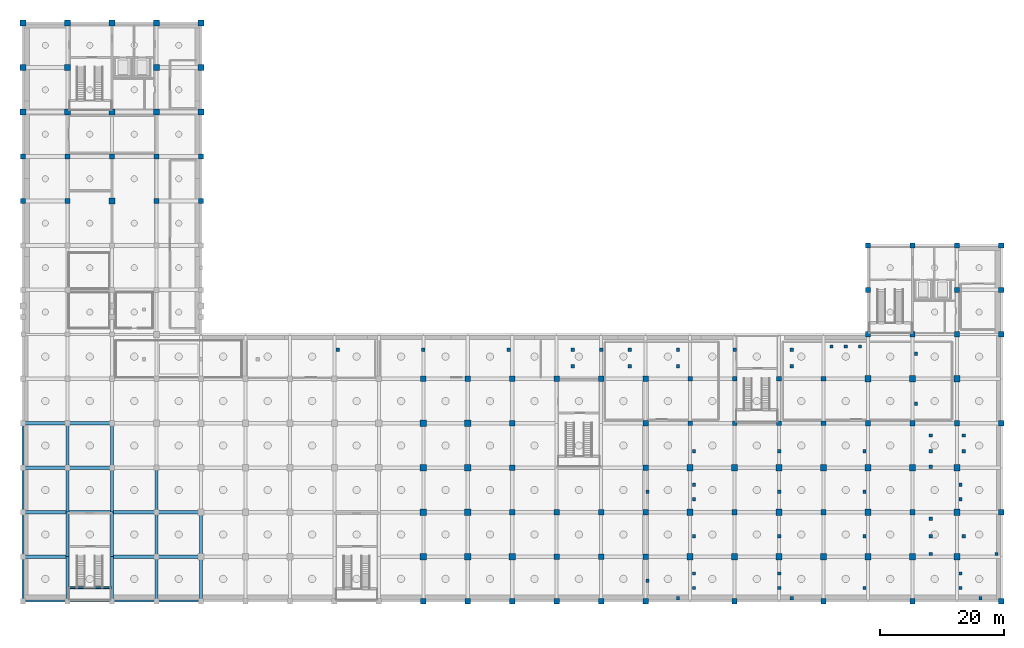
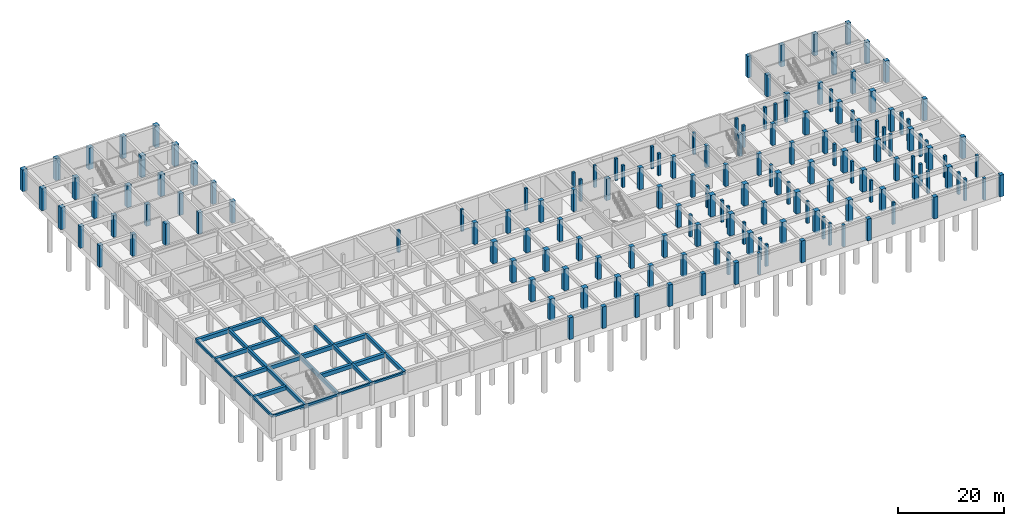
# One storey, part 2 of 15: 160 columns, 33 beams.
"""IFC4 building model written with IfcOpenShell, lengths in metres."""

from ifc_helpers import new_model, si_unit, direction, frame, origin, origin_2d, place, context, subcontext, project, spatial, rectangle, extrude, material, material_profile, profile_set, type_object, element, save


model = new_model("IFC4")

# Units and contexts
model_context = context("Model", 3, precision=1e-05, world=origin(), true_north=direction((0.0, 1.0)))
body_context = subcontext(model_context, "Body", "Model", "MODEL_VIEW")
ifc_project = project(units=[si_unit("LENGTHUNIT", "METRE"), si_unit("AREAUNIT", "SQUARE_METRE"), si_unit("VOLUMEUNIT", "CUBIC_METRE"), si_unit("PLANEANGLEUNIT", "RADIAN"), si_unit("MASSUNIT", "GRAM", prefix="KILO")], contexts=[model_context])

# Site, building, storey
site_placement = place(None, origin())
site = spatial("IfcSite", under=ifc_project, at=site_placement, CompositionType="ELEMENT")
building_placement = place(site_placement, origin())
building = spatial("IfcBuilding", under=site, at=building_placement, Name="Leyfeld Transit Interchange", CompositionType="ELEMENT")
storey_placement = place(building_placement, frame((0.0, 0.0, -10.800048828125)))
storey = spatial("IfcBuildingStorey", under=building, at=storey_placement, Name="B02", CompositionType="ELEMENT", Elevation=-10.800048828125)

# Columns
ifc_material = material(Name="Concrete C35/45", Category="concrete")
ifc_material_profile_1 = material_profile(ifc_material, rectangle(XDim=1.0, YDim=1.0, at=origin_2d()), Name="RC 1000x1000")
ifc_profile_set_1 = profile_set([ifc_material_profile_1], Name="Concrete C35/45")
column_type_1 = type_object("IfcColumnType", Name="COL-RC-1000", PredefinedType="COLUMN", material=ifc_profile_set_1)
for number, where, z_axis, x_axis, name in (
    (1, (0.0, 93.60009765625, 0.0), (0.0, 0.0, 1.0), (0.0, 1.0, 0.0), "Column COL-B02-0000_0936"),
    (2, (0.0, 100.800048828125, 0.0), (0.0, 0.0, 1.0), (1.0, 0.0, 0.0), "Column COL-B02-0000_1008"),
    (3, (0.0, 108.0, 0.0), (0.0, 0.0, 1.0), (1.0, 0.0, 0.0), "Column COL-B02-0000_1080"),
    (4, (7.199951171875, 93.60009765625, 0.0), (0.0, 0.0, 1.0), (1.0, 0.0, 0.0), "Column COL-B02-0072_0936"),
    (5, (7.199951171875, 100.800048828125, 0.0), (0.0, 0.0, 1.0), (1.0, 0.0, 0.0), "Column COL-B02-0072_1008"),
    (6, (7.199951171875, 108.0, 0.0), (0.0, 0.0, 1.0), (1.0, 0.0, 0.0), "Column COL-B02-0072_1080"),
    (7, (14.39990234375, 79.199951171875, 0.0), (0.0, 0.0, 1.0), (1.0, 0.0, 0.0), "Column COL-B02-0144_0792"),
    (8, (14.39990234375, 93.60009765625, 0.0), (0.0, 0.0, 1.0), (1.0, 0.0, 0.0), "Column COL-B02-0144_0936"),
    (9, (14.39990234375, 108.0, 0.0), (0.0, 0.0, 1.0), (1.0, 0.0, 0.0), "Column COL-B02-0144_1080"),
    (10, (21.60009765625, 93.60009765625, 0.0), (0.0, 0.0, 1.0), (1.0, 0.0, 0.0), "Column COL-B02-0216_0936"),
    (11, (21.60009765625, 100.800048828125, 0.0), (0.0, 0.0, 1.0), (1.0, 0.0, 0.0), "Column COL-B02-0216_1008"),
    (12, (21.60009765625, 108.0, 0.0), (0.0, 0.0, 1.0), (1.0, 0.0, 0.0), "Column COL-B02-0216_1080"),
    (13, (28.800048828125, 93.60009765625, 0.0), (0.0, 0.0, 1.0), (1.0, 0.0, 0.0), "Column COL-B02-0288_0936"),
    (14, (28.800048828125, 100.800048828125, 0.0), (0.0, 0.0, 1.0), (1.0, 0.0, 0.0), "Column COL-B02-0288_1008"),
    (15, (28.800048828125, 108.0, 0.0), (0.0, 0.0, 1.0), (1.0, 0.0, 0.0), "Column COL-B02-0288_1080"),
    (16, (64.800048828125, 21.60009765625, 0.0), (0.0, 0.0, 1.0), (1.0, 0.0, 0.0), "Column COL-B02-0648_0216"),
    (17, (64.800048828125, 28.800048828125, 0.0), (0.0, 0.0, 1.0), (1.0, 0.0, 0.0), "Column COL-B02-0648_0288"),
    (18, (64.800048828125, 36.0, 0.0), (0.0, 0.0, 1.0), (1.0, 0.0, 0.0), "Column COL-B02-0648_0360"),
    (19, (64.800048828125, 43.199951171875, 0.0), (0.0, 0.0, 1.0), (1.0, 0.0, 0.0), "Column COL-B02-0648_0432"),
    (20, (72.0, 21.60009765625, 0.0), (0.0, 0.0, 1.0), (1.0, 0.0, 0.0), "Column COL-B02-0720_0216"),
    (21, (72.0, 28.800048828125, 0.0), (0.0, 0.0, 1.0), (1.0, 0.0, 0.0), "Column COL-B02-0720_0288"),
    (22, (72.0, 36.0, 0.0), (0.0, 0.0, 1.0), (1.0, 0.0, 0.0), "Column COL-B02-0720_0360"),
    (23, (72.0, 43.199951171875, 0.0), (0.0, 0.0, 1.0), (1.0, 0.0, 0.0), "Column COL-B02-0720_0432"),
    (24, (79.199951171875, 21.60009765625, 0.0), (0.0, 0.0, 1.0), (1.0, 0.0, 0.0), "Column COL-B02-0792_0216"),
    (25, (108.0, 21.60009765625, 0.0), (0.0, 0.0, 1.0), (1.0, 0.0, 0.0), "Column COL-B02-1080_0216"),
    (26, (108.0, 28.800048828125, 0.0), (0.0, 0.0, 1.0), (1.0, 0.0, 0.0), "Column COL-B02-1080_0288"),
    (27, (108.0, 36.0, 0.0), (0.0, 0.0, 1.0), (1.0, 0.0, 0.0), "Column COL-B02-1080_0360"),
    (28, (115.199951171875, 21.60009765625, 0.0), (0.0, 0.0, 1.0), (1.0, 0.0, 0.0), "Column COL-B02-1152_0216"),
    (29, (115.199951171875, 36.0, 0.0), (0.0, 0.0, 1.0), (1.0, 0.0, 0.0), "Column COL-B02-1152_0360"),
    (30, (122.39990234375, 21.60009765625, 0.0), (0.0, 0.0, 1.0), (1.0, 0.0, 0.0), "Column COL-B02-1224_0216"),
    (31, (122.39990234375, 28.800048828125, 0.0), (0.0, 0.0, 1.0), (1.0, 0.0, 0.0), "Column COL-B02-1224_0288"),
    (32, (122.39990234375, 36.0, 0.0), (0.0, 0.0, 1.0), (1.0, 0.0, 0.0), "Column COL-B02-1224_0360"),
    (33, (129.60009765625, 21.60009765625, 0.0), (0.0, 0.0, 1.0), (1.0, 0.0, 0.0), "Column COL-B02-1296_0216"),
    (34, (129.60009765625, 36.0, 0.0), (0.0, 0.0, 1.0), (1.0, 0.0, 0.0), "Column COL-B02-1296_0360"),
    (35, (136.800048828125, 21.60009765625, 0.0), (0.0, 0.0, 1.0), (1.0, 0.0, 0.0), "Column COL-B02-1368_0216"),
    (36, (136.800048828125, 28.800048828125, 0.0), (0.0, 0.0, 1.0), (1.0, 0.0, 0.0), "Column COL-B02-1368_0288"),
    (37, (136.800048828125, 36.0, 0.0), (0.0, 0.0, 1.0), (1.0, 0.0, 0.0), "Column COL-B02-1368_0360"),
    (38, (136.800048828125, 50.39990234375, 0.0), (0.0, 0.0, 1.0), (1.0, 0.0, 0.0), "Column COL-B02-1368_0504"),
    (39, (144.0, 21.60009765625, 0.0), (0.0, 0.0, 1.0), (1.0, 0.0, 0.0), "Column COL-B02-1440_0216"),
    (40, (144.0, 36.0, 0.0), (0.0, 0.0, 1.0), (1.0, 0.0, 0.0), "Column COL-B02-1440_0360"),
    (41, (144.0, 50.39990234375, 0.0), (0.0, 0.0, 1.0), (1.0, 0.0, 0.0), "Column COL-B02-1440_0504"),
    (42, (151.199951171875, 21.60009765625, 0.0), (0.0, 0.0, 1.0), (1.0, 0.0, 0.0), "Column COL-B02-1512_0216"),
    (43, (151.199951171875, 28.800048828125, 0.0), (0.0, 0.0, 1.0), (1.0, 0.0, 0.0), "Column COL-B02-1512_0288"),
    (44, (151.199951171875, 36.0, 0.0), (0.0, 0.0, 1.0), (1.0, 0.0, 0.0), "Column COL-B02-1512_0360"),
    (45, (151.199951171875, 50.39990234375, 0.0), (0.0, 0.0, 1.0), (1.0, 0.0, 0.0), "Column COL-B02-1512_0504"),
):
    element("IfcColumn", number, at=place(storey_placement, frame(where, z_axis=z_axis, x_axis=x_axis)), inside=storey, type_object=column_type_1, Name=name, PredefinedType="COLUMN", context=body_context, shape_type="SweptSolid", body=[
        extrude(rectangle(XDim=1.0, YDim=1.0, at=origin_2d()), origin(), (0.0, 0.0, 1.0), 5.0),
    ])
ifc_material_profile_2 = material_profile(ifc_material, rectangle(XDim=0.550048828125, YDim=0.550048828125, at=origin_2d()), Name="RC 550x550")
ifc_profile_set_2 = profile_set([ifc_material_profile_2], Name="Concrete C35/45")
column_type_2 = type_object("IfcColumnType", Name="COL-RC-550", PredefinedType="COLUMN", material=ifc_profile_set_2)
for number, where, z_axis, x_axis, name in (
    (46, (108.633056640625, 16.52392578125, 0.0), (0.0, 0.0, 1.0), (1.0, 0.0, 0.0), "Plaza Support Column B02 001"),
    (47, (108.633056640625, 18.8759765625, 0.0), (0.0, 0.0, 1.0), (1.0, 0.0, 0.0), "Plaza Support Column B02 002"),
    (48, (122.43505859375, 16.52392578125, 0.0), (0.0, 0.0, 1.0), (1.0, 0.0, 0.0), "Plaza Support Column B02 003"),
    (49, (122.43505859375, 18.8759765625, 0.0), (0.0, 0.0, 1.0), (1.0, 0.0, 0.0), "Plaza Support Column B02 004"),
    (50, (136.237060546875, 16.52392578125, 0.0), (0.0, 0.0, 1.0), (1.0, 0.0, 0.0), "Plaza Support Column B02 005"),
    (51, (151.77587890625, 16.52392578125, 0.0), (0.0, 0.0, 1.0), (1.0, 0.0, 0.0), "Plaza Support Column B02 006"),
    (52, (151.77587890625, 18.8759765625, 0.0), (0.0, 0.0, 1.0), (1.0, 0.0, 0.0), "Plaza Support Column B02 007"),
    (53, (108.633056640625, 30.924072265625, 0.0), (0.0, 0.0, 1.0), (1.0, 0.0, 0.0), "Plaza Support Column B02 008"),
    (54, (108.633056640625, 33.27587890625, 0.0), (0.0, 0.0, 1.0), (1.0, 0.0, 0.0), "Plaza Support Column B02 009"),
    (55, (122.43505859375, 32.10009765625, 0.0), (0.0, 0.0, 1.0), (1.0, 0.0, 0.0), "Plaza Support Column B02 010"),
    (56, (136.237060546875, 32.10009765625, 0.0), (0.0, 0.0, 1.0), (1.0, 0.0, 0.0), "Plaza Support Column B02 011"),
    (57, (151.77587890625, 30.924072265625, 0.0), (0.0, 0.0, 1.0), (1.0, 0.0, 0.0), "Plaza Support Column B02 012"),
    (58, (151.77587890625, 33.27587890625, 0.0), (0.0, 0.0, 1.0), (1.0, 0.0, 0.0), "Plaza Support Column B02 013"),
    (59, (144.575927734375, 46.367919921875, 0.0), (0.0, 0.0, 1.0), (1.0, 0.0, 0.0), "Plaza Support Column B02 014"),
    (60, (144.575927734375, 54.431884765625, 0.0), (0.0, 0.0, 1.0), (1.0, 0.0, 0.0), "Plaza Support Column B02 015"),
    (61, (106.041015625, 14.85205078125, 0.0), (0.0, 0.0, 1.0), (1.0, 0.0, 0.0), "Plaza Support Column B02 016"),
    (62, (124.428955078125, 14.85205078125, 0.0), (0.0, 0.0, 1.0), (1.0, 0.0, 0.0), "Plaza Support Column B02 017"),
    (63, (155.02001953125, 14.85205078125, 0.0), (0.0, 0.0, 1.0), (1.0, 0.0, 0.0), "Plaza Support Column B02 018"),
    (64, (50.97607421875, 55.10009765625, 0.0), (0.0, 0.0, 1.0), (1.0, 0.0, 0.0), "Plaza Support Column B02 023"),
    (65, (64.800048828125, 55.10009765625, 0.0), (0.0, 0.0, 1.0), (1.0, 0.0, 0.0), "Plaza Support Column B02 024"),
    (66, (78.6240234375, 55.10009765625, 0.0), (0.0, 0.0, 1.0), (1.0, 0.0, 0.0), "Plaza Support Column B02 025"),
    (67, (106.041015625, 52.468017578125, 0.0), (0.0, 0.0, 1.0), (1.0, 0.0, 0.0), "Plaza Support Column B02 026"),
    (68, (106.041015625, 55.10009765625, 0.0), (0.0, 0.0, 1.0), (1.0, 0.0, 0.0), "Plaza Support Column B02 027"),
    (69, (115.235107421875, 55.10009765625, 0.0), (0.0, 0.0, 1.0), (1.0, 0.0, 0.0), "Plaza Support Column B02 028"),
    (70, (124.428955078125, 52.468017578125, 0.0), (0.0, 0.0, 1.0), (1.0, 0.0, 0.0), "Plaza Support Column B02 029"),
    (71, (124.428955078125, 55.10009765625, 0.0), (0.0, 0.0, 1.0), (1.0, 0.0, 0.0), "Plaza Support Column B02 030"),
    (72, (88.99609375, 52.468017578125, 0.0), (0.0, 0.0, 1.0), (1.0, 0.0, 0.0), "Plaza Support Column B02 031"),
    (73, (88.99609375, 55.10009765625, 0.0), (0.0, 0.0, 1.0), (1.0, 0.0, 0.0), "Plaza Support Column B02 032"),
    (74, (93.610107421875, 55.10009765625, 0.0), (0.0, 0.0, 1.0), (1.0, 0.0, 0.0), "Plaza Support Column B02 033"),
    (75, (98.22412109375, 52.468017578125, 0.0), (0.0, 0.0, 1.0), (1.0, 0.0, 0.0), "Plaza Support Column B02 034"),
    (76, (98.22412109375, 55.10009765625, 0.0), (0.0, 0.0, 1.0), (1.0, 0.0, 0.0), "Plaza Support Column B02 035"),
    (77, (130.89599609375, 55.635986328125, 0.0), (0.0, 0.0, 1.0), (1.0, 0.0, 0.0), "Plaza Support Column B02 036"),
    (78, (133.199951171875, 55.635986328125, 0.0), (0.0, 0.0, 1.0), (1.0, 0.0, 0.0), "Plaza Support Column B02 037"),
    (79, (135.50390625, 55.635986328125, 0.0), (0.0, 0.0, 1.0), (1.0, 0.0, 0.0), "Plaza Support Column B02 038"),
    (80, (108.633056640625, 38.699951171875, 0.0), (0.0, 0.0, 1.0), (1.0, 0.0, 0.0), "Plaza Support Column B02 039"),
    (81, (122.43505859375, 38.699951171875, 0.0), (0.0, 0.0, 1.0), (1.0, 0.0, 0.0), "Plaza Support Column B02 040"),
    (82, (136.237060546875, 38.699951171875, 0.0), (0.0, 0.0, 1.0), (1.0, 0.0, 0.0), "Plaza Support Column B02 041"),
    (83, (146.988037109375, 36.179931640625, 0.0), (0.0, 0.0, 1.0), (1.0, 0.0, 0.0), "Plaza Support Column B02 042"),
    (84, (146.988037109375, 38.699951171875, 0.0), (0.0, 0.0, 1.0), (1.0, 0.0, 0.0), "Plaza Support Column B02 043"),
    (85, (146.988037109375, 41.219970703125, 0.0), (0.0, 0.0, 1.0), (1.0, 0.0, 0.0), "Plaza Support Column B02 044"),
    (86, (152.300048828125, 38.699951171875, 0.0), (0.0, 0.0, 1.0), (1.0, 0.0, 0.0), "Plaza Support Column B02 045"),
    (87, (152.300048828125, 41.219970703125, 0.0), (0.0, 0.0, 1.0), (1.0, 0.0, 0.0), "Plaza Support Column B02 046"),
    (88, (108.633056640625, 24.89990234375, 0.0), (0.0, 0.0, 1.0), (1.0, 0.0, 0.0), "Plaza Support Column B02 047"),
    (89, (122.43505859375, 24.89990234375, 0.0), (0.0, 0.0, 1.0), (1.0, 0.0, 0.0), "Plaza Support Column B02 048"),
    (90, (136.237060546875, 24.89990234375, 0.0), (0.0, 0.0, 1.0), (1.0, 0.0, 0.0), "Plaza Support Column B02 049"),
    (91, (146.988037109375, 22.0439453125, 0.0), (0.0, 0.0, 1.0), (1.0, 0.0, 0.0), "Plaza Support Column B02 050"),
    (92, (146.988037109375, 24.89990234375, 0.0), (0.0, 0.0, 1.0), (1.0, 0.0, 0.0), "Plaza Support Column B02 051"),
    (93, (146.988037109375, 27.756103515625, 0.0), (0.0, 0.0, 1.0), (1.0, 0.0, 0.0), "Plaza Support Column B02 052"),
    (94, (152.300048828125, 24.89990234375, 0.0), (0.0, 0.0, 1.0), (1.0, 0.0, 0.0), "Plaza Support Column B02 053"),
    (95, (157.612060546875, 22.0439453125, 0.0), (0.0, 0.0, 1.0), (1.0, 0.0, 0.0), "Plaza Support Column B02 054"),
    (96, (101.10009765625, 17.699951171875, 0.0), (0.0, 0.0, 1.0), (1.0, 0.0, 0.0), "Ramp Toe Pier B02 02"),
    (97, (101.10009765625, 32.10009765625, 0.0), (0.0, 0.0, 1.0), (1.0, 0.0, 0.0), "Ramp Toe Pier B02 03"),
):
    element("IfcColumn", number, at=place(storey_placement, frame(where, z_axis=z_axis, x_axis=x_axis)), inside=storey, type_object=column_type_2, Name=name, PredefinedType="COLUMN", context=body_context, shape_type="SweptSolid", body=[
        extrude(rectangle(XDim=0.550048828125, YDim=0.550048828125, at=origin_2d()), origin(), (0.0, 0.0, 1.0), 5.0),
    ])
ifc_material_profile_3 = material_profile(ifc_material, rectangle(XDim=0.75, YDim=0.75, at=origin_2d()), Name="RC 750x750")
ifc_profile_set_3 = profile_set([ifc_material_profile_3], Name="Concrete C35/45")
column_type_3 = type_object("IfcColumnType", Name="COL-RC-750", PredefinedType="COLUMN", material=ifc_profile_set_3)
for number, where, z_axis, x_axis, name in (
    (98, (108.0, 43.199951171875, 0.0), (0.0, 0.0, 1.0), (1.0, 0.0, 0.0), "Column COL-B02-1080_0432"),
    (99, (108.0, 50.39990234375, 0.0), (0.0, 0.0, 1.0), (1.0, 0.0, 0.0), "Column COL-B02-1080_0504"),
    (100, (115.199951171875, 43.199951171875, 0.0), (0.0, 0.0, 1.0), (1.0, 0.0, 0.0), "Column COL-B02-1152_0432"),
    (101, (115.199951171875, 50.39990234375, 0.0), (0.0, 0.0, 1.0), (1.0, 0.0, 0.0), "Column COL-B02-1152_0504"),
    (102, (122.39990234375, 43.199951171875, 0.0), (0.0, 0.0, 1.0), (1.0, 0.0, 0.0), "Column COL-B02-1224_0432"),
    (103, (122.39990234375, 50.39990234375, 0.0), (0.0, 0.0, 1.0), (1.0, 0.0, 0.0), "Column COL-B02-1224_0504"),
    (104, (129.60009765625, 43.199951171875, 0.0), (0.0, 0.0, 1.0), (1.0, 0.0, 0.0), "Column COL-B02-1296_0432"),
    (105, (129.60009765625, 50.39990234375, 0.0), (0.0, 0.0, 1.0), (1.0, 0.0, 0.0), "Column COL-B02-1296_0504"),
):
    element("IfcColumn", number, at=place(storey_placement, frame(where, z_axis=z_axis, x_axis=x_axis)), inside=storey, type_object=column_type_3, Name=name, PredefinedType="COLUMN", context=body_context, shape_type="SweptSolid", body=[
        extrude(rectangle(XDim=0.75, YDim=0.75, at=origin_2d()), origin(), (0.0, 0.0, 1.0), 5.0),
    ])
ifc_material_profile_4 = material_profile(ifc_material, rectangle(XDim=0.85009765625, YDim=0.85009765625, at=origin_2d()), Name="RC 850x850")
ifc_profile_set_4 = profile_set([ifc_material_profile_4], Name="Concrete C35/45")
column_type_4 = type_object("IfcColumnType", Name="COL-RC-850", PredefinedType="COLUMN", material=ifc_profile_set_4)
for number, where, z_axis, x_axis, name in (
    (106, (0.0, 79.199951171875, 0.0), (0.0, 0.0, 1.0), (0.0, 1.0, 0.0), "Column COL-B02-0000_0792"),
    (107, (0.0, 86.39990234375, 0.0), (0.0, 0.0, 1.0), (0.0, 1.0, 0.0), "Column COL-B02-0000_0864"),
    (108, (7.199951171875, 79.199951171875, 0.0), (0.0, 0.0, 1.0), (1.0, 0.0, 0.0), "Column COL-B02-0072_0792"),
    (109, (7.199951171875, 86.39990234375, 0.0), (0.0, 0.0, 1.0), (1.0, 0.0, 0.0), "Column COL-B02-0072_0864"),
    (110, (14.39990234375, 86.39990234375, 0.0), (0.0, 0.0, 1.0), (1.0, 0.0, 0.0), "Column COL-B02-0144_0864"),
    (111, (21.60009765625, 79.199951171875, 0.0), (0.0, 0.0, 1.0), (1.0, 0.0, 0.0), "Column COL-B02-0216_0792"),
    (112, (21.60009765625, 86.39990234375, 0.0), (0.0, 0.0, 1.0), (1.0, 0.0, 0.0), "Column COL-B02-0216_0864"),
    (113, (28.800048828125, 79.199951171875, 0.0), (0.0, 0.0, 1.0), (1.0, 0.0, 0.0), "Column COL-B02-0288_0792"),
    (114, (28.800048828125, 86.39990234375, 0.0), (0.0, 0.0, 1.0), (1.0, 0.0, 0.0), "Column COL-B02-0288_0864"),
    (115, (64.800048828125, 14.39990234375, 0.0), (0.0, 0.0, 1.0), (1.0, 0.0, 0.0), "Column COL-B02-0648_0144"),
    (116, (64.800048828125, 50.39990234375, 0.0), (0.0, 0.0, 1.0), (1.0, 0.0, 0.0), "Column COL-B02-0648_0504"),
    (117, (72.0, 14.39990234375, 0.0), (0.0, 0.0, 1.0), (1.0, 0.0, 0.0), "Column COL-B02-0720_0144"),
    (118, (72.0, 50.39990234375, 0.0), (0.0, 0.0, 1.0), (1.0, 0.0, 0.0), "Column COL-B02-0720_0504"),
    (119, (79.199951171875, 14.39990234375, 0.0), (0.0, 0.0, 1.0), (1.0, 0.0, 0.0), "Column COL-B02-0792_0144"),
    (120, (79.199951171875, 28.800048828125, 0.0), (0.0, 0.0, 1.0), (1.0, 0.0, 0.0), "Column COL-B02-0792_0288"),
    (121, (79.199951171875, 36.0, 0.0), (0.0, 0.0, 1.0), (1.0, 0.0, 0.0), "Column COL-B02-0792_0360"),
    (122, (79.199951171875, 43.199951171875, 0.0), (0.0, 0.0, 1.0), (1.0, 0.0, 0.0), "Column COL-B02-0792_0432"),
    (123, (79.199951171875, 50.39990234375, 0.0), (0.0, 0.0, 1.0), (1.0, 0.0, 0.0), "Column COL-B02-0792_0504"),
    (124, (86.39990234375, 14.39990234375, 0.0), (0.0, 0.0, 1.0), (1.0, 0.0, 0.0), "Column COL-B02-0864_0144"),
    (125, (86.39990234375, 21.60009765625, 0.0), (0.0, 0.0, 1.0), (1.0, 0.0, 0.0), "Column COL-B02-0864_0216"),
    (126, (86.39990234375, 28.800048828125, 0.0), (0.0, 0.0, 1.0), (1.0, 0.0, 0.0), "Column COL-B02-0864_0288"),
    (127, (86.39990234375, 50.39990234375, 0.0), (0.0, 0.0, 1.0), (1.0, 0.0, 0.0), "Column COL-B02-0864_0504"),
    (128, (93.60009765625, 14.39990234375, 0.0), (0.0, 0.0, 1.0), (1.0, 0.0, 0.0), "Column COL-B02-0936_0144"),
    (129, (93.60009765625, 21.60009765625, 0.0), (0.0, 0.0, 1.0), (1.0, 0.0, 0.0), "Column COL-B02-0936_0216"),
    (130, (93.60009765625, 28.800048828125, 0.0), (0.0, 0.0, 1.0), (1.0, 0.0, 0.0), "Column COL-B02-0936_0288"),
    (131, (93.60009765625, 50.39990234375, 0.0), (0.0, 0.0, 1.0), (1.0, 0.0, 0.0), "Column COL-B02-0936_0504"),
    (132, (100.800048828125, 14.39990234375, 0.0), (0.0, 0.0, 1.0), (1.0, 0.0, 0.0), "Column COL-B02-1008_0144"),
    (133, (100.800048828125, 21.60009765625, 0.0), (0.0, 0.0, 1.0), (1.0, 0.0, 0.0), "Column COL-B02-1008_0216"),
    (134, (100.800048828125, 28.800048828125, 0.0), (0.0, 0.0, 1.0), (1.0, 0.0, 0.0), "Column COL-B02-1008_0288"),
    (135, (100.800048828125, 36.0, 0.0), (0.0, 0.0, 1.0), (1.0, 0.0, 0.0), "Column COL-B02-1008_0360"),
    (136, (100.800048828125, 43.199951171875, 0.0), (0.0, 0.0, 1.0), (1.0, 0.0, 0.0), "Column COL-B02-1008_0432"),
    (137, (100.800048828125, 50.39990234375, 0.0), (0.0, 0.0, 1.0), (1.0, 0.0, 0.0), "Column COL-B02-1008_0504"),
    (138, (115.199951171875, 14.39990234375, 0.0), (0.0, 0.0, 1.0), (1.0, 0.0, 0.0), "Column COL-B02-1152_0144"),
    (139, (115.199951171875, 28.800048828125, 0.0), (0.0, 0.0, 1.0), (1.0, 0.0, 0.0), "Column COL-B02-1152_0288"),
    (140, (129.60009765625, 14.39990234375, 0.0), (0.0, 0.0, 1.0), (1.0, 0.0, 0.0), "Column COL-B02-1296_0144"),
    (141, (129.60009765625, 28.800048828125, 0.0), (0.0, 0.0, 1.0), (1.0, 0.0, 0.0), "Column COL-B02-1296_0288"),
    (142, (136.800048828125, 43.199951171875, 0.0), (0.0, 0.0, 1.0), (1.0, 0.0, 0.0), "Column COL-B02-1368_0432"),
    (143, (136.800048828125, 57.60009765625, 0.0), (0.0, 0.0, 1.0), (1.0, 0.0, 0.0), "Column COL-B02-1368_0576"),
    (144, (136.800048828125, 64.800048828125, 0.0), (0.0, 0.0, 1.0), (1.0, 0.0, 0.0), "Column COL-B02-1368_0648"),
    (145, (136.800048828125, 72.0, 0.0), (0.0, 0.0, 1.0), (1.0, 0.0, 0.0), "Column COL-B02-1368_0720"),
    (146, (144.0, 14.39990234375, 0.0), (0.0, 0.0, 1.0), (1.0, 0.0, 0.0), "Column COL-B02-1440_0144"),
    (147, (144.0, 28.800048828125, 0.0), (0.0, 0.0, 1.0), (1.0, 0.0, 0.0), "Column COL-B02-1440_0288"),
    (148, (144.0, 43.199951171875, 0.0), (0.0, 0.0, 1.0), (1.0, 0.0, 0.0), "Column COL-B02-1440_0432"),
    (149, (144.0, 57.60009765625, 0.0), (0.0, 0.0, 1.0), (1.0, 0.0, 0.0), "Column COL-B02-1440_0576"),
    (150, (144.0, 72.0, 0.0), (0.0, 0.0, 1.0), (1.0, 0.0, 0.0), "Column COL-B02-1440_0720"),
    (151, (151.199951171875, 43.199951171875, 0.0), (0.0, 0.0, 1.0), (1.0, 0.0, 0.0), "Column COL-B02-1512_0432"),
    (152, (151.199951171875, 57.60009765625, 0.0), (0.0, 0.0, 1.0), (1.0, 0.0, 0.0), "Column COL-B02-1512_0576"),
    (153, (151.199951171875, 64.800048828125, 0.0), (0.0, 0.0, 1.0), (1.0, 0.0, 0.0), "Column COL-B02-1512_0648"),
    (154, (151.199951171875, 72.0, 0.0), (0.0, 0.0, 1.0), (1.0, 0.0, 0.0), "Column COL-B02-1512_0720"),
    (155, (158.39990234375, 14.39990234375, 0.0), (0.0, 0.0, 1.0), (1.0, 0.0, 0.0), "Column COL-B02-1584_0144"),
    (156, (158.39990234375, 28.800048828125, 0.0), (0.0, 0.0, 1.0), (1.0, 0.0, 0.0), "Column COL-B02-1584_0288"),
    (157, (158.39990234375, 43.199951171875, 0.0), (0.0, 0.0, 1.0), (1.0, 0.0, 0.0), "Column COL-B02-1584_0432"),
    (158, (158.39990234375, 57.60009765625, 0.0), (0.0, 0.0, 1.0), (1.0, 0.0, 0.0), "Column COL-B02-1584_0576"),
    (159, (158.39990234375, 64.800048828125, 0.0), (0.0, 0.0, 1.0), (1.0, 0.0, 0.0), "Column COL-B02-1584_0648"),
    (160, (158.39990234375, 72.0, 0.0), (0.0, 0.0, 1.0), (1.0, 0.0, 0.0), "Column COL-B02-1584_0720"),
):
    element("IfcColumn", number, at=place(storey_placement, frame(where, z_axis=z_axis, x_axis=x_axis)), inside=storey, type_object=column_type_4, Name=name, PredefinedType="COLUMN", context=body_context, shape_type="SweptSolid", body=[
        extrude(rectangle(XDim=0.85009765625, YDim=0.85009765625, at=origin_2d()), origin(), (0.0, 0.0, 1.0), 5.0),
    ])

# Beams
ifc_material_profile_5 = material_profile(ifc_material, rectangle(XDim=0.300048828125, YDim=0.39990234375, at=origin_2d()), Name="RC 400x300")
ifc_profile_set_5 = profile_set([ifc_material_profile_5], Name="Concrete C35/45")
beam_type_1 = type_object("IfcBeamType", Name="BM-RC-400x300", PredefinedType="LINTEL", material=ifc_profile_set_5)
beam_1_placement = place(storey_placement, frame((7.340087890625, 16.60009765625, 2.5), z_axis=(1.0, 0.0, 0.0), x_axis=(0.0, 1.0, 0.0)))
element("IfcBeam", 161, at=beam_1_placement, inside=storey, type_object=beam_type_1, Name="Stair ST-06 B02 Half-Landing Corbel", PredefinedType="LINTEL", context=body_context, shape_type="SweptSolid", body=[
    extrude(rectangle(XDim=0.300048828125, YDim=0.39990234375, at=origin_2d()), origin(), (0.0, 0.0, 1.0), 6.919921875),
])
ifc_material_profile_6 = material_profile(ifc_material, rectangle(XDim=0.35009765625, YDim=0.5, at=origin_2d()), Name="RC 500x350")
ifc_profile_set_6 = profile_set([ifc_material_profile_6], Name="Concrete C35/45")
beam_type_2 = type_object("IfcBeamType", Name="BM-RC-500x350", PredefinedType="SPANDREL", material=ifc_profile_set_6)
beam_2_placement = place(storey_placement, frame((0.0, 14.39990234375, 4.75), z_axis=(0.0, 1.0, 0.0), x_axis=(-1.0, 0.0, 0.0)))
element("IfcBeam", 162, at=beam_2_placement, inside=storey, type_object=beam_type_2, Name="Beam BM-B02-0000_0144-0000_0216", PredefinedType="SPANDREL", context=body_context, shape_type="SweptSolid", body=[
    extrude(rectangle(XDim=0.35009765625, YDim=0.5, at=origin_2d()), origin(), (0.0, 0.0, 1.0), 7.2001953125),
])
for number, where, z_axis, x_axis, name in (
    (163, (0.0, 21.60009765625, 4.75), (0.0, 1.0, 0.0), (-1.0, 0.0, 0.0), "Beam BM-B02-0000_0216-0000_0288"),
    (164, (0.0, 28.800048828125, 4.75), (0.0, 1.0, 0.0), (-1.0, 0.0, 0.0), "Beam BM-B02-0000_0288-0000_0360"),
    (165, (0.0, 36.0, 4.75), (0.0, 1.0, 0.0), (-1.0, 0.0, 0.0), "Beam BM-B02-0000_0360-0000_0432"),
    (166, (0.0, 14.39990234375, 4.75), (1.0, 0.0, 0.0), (0.0, 1.0, 0.0), "Beam BM-B02-0000_0144-0072_0144"),
    (167, (7.199951171875, 14.39990234375, 4.75), (1.0, 0.0, 0.0), (0.0, 1.0, 0.0), "Beam BM-B02-0072_0144-0144_0144"),
):
    element("IfcBeam", number, at=place(storey_placement, frame(where, z_axis=z_axis, x_axis=x_axis)), inside=storey, type_object=beam_type_2, Name=name, PredefinedType="SPANDREL", context=body_context, shape_type="SweptSolid", body=[
        extrude(rectangle(XDim=0.35009765625, YDim=0.5, at=origin_2d()), origin(), (0.0, 0.0, 1.0), 7.199951171875),
    ])
beam_3_placement = place(storey_placement, frame((14.39990234375, 14.39990234375, 4.75), z_axis=(1.0, 0.0, 0.0), x_axis=(0.0, 1.0, 0.0)))
element("IfcBeam", 168, at=beam_3_placement, inside=storey, type_object=beam_type_2, Name="Beam BM-B02-0144_0144-0216_0144", PredefinedType="SPANDREL", context=body_context, shape_type="SweptSolid", body=[
    extrude(rectangle(XDim=0.35009765625, YDim=0.5, at=origin_2d()), origin(), (0.0, 0.0, 1.0), 7.2001953125),
])
beam_4_placement = place(storey_placement, frame((21.60009765625, 14.39990234375, 4.75), z_axis=(1.0, 0.0, 0.0), x_axis=(0.0, 1.0, 0.0)))
element("IfcBeam", 169, at=beam_4_placement, inside=storey, type_object=beam_type_2, Name="Beam BM-B02-0216_0144-0288_0144", PredefinedType="SPANDREL", context=body_context, shape_type="SweptSolid", body=[
    extrude(rectangle(XDim=0.35009765625, YDim=0.5, at=origin_2d()), origin(), (0.0, 0.0, 1.0), 7.199951171875),
])
ifc_material_profile_7 = material_profile(ifc_material, rectangle(XDim=0.5, YDim=0.800048828125, at=origin_2d()), Name="RC 800x500")
ifc_profile_set_7 = profile_set([ifc_material_profile_7], Name="Concrete C35/45")
beam_type_3 = type_object("IfcBeamType", Name="BM-RC-800x500", PredefinedType="JOIST", material=ifc_profile_set_7)
beam_5_placement = place(storey_placement, frame((7.199951171875, 14.39990234375, 4.60009765625), z_axis=(0.0, 1.0, 0.0), x_axis=(-1.0, 0.0, 0.0)))
element("IfcBeam", 170, at=beam_5_placement, inside=storey, type_object=beam_type_3, Name="Beam BM-B02-0072_0144-0072_0216", PredefinedType="JOIST", context=body_context, shape_type="SweptSolid", body=[
    extrude(rectangle(XDim=0.5, YDim=0.800048828125, at=origin_2d()), origin(), (0.0, 0.0, 1.0), 7.2001953125),
])
for number, where, z_axis, x_axis, name in (
    (171, (7.199951171875, 21.60009765625, 4.60009765625), (0.0, 1.0, 0.0), (-1.0, 0.0, 0.0), "Beam BM-B02-0072_0216-0072_0288"),
    (172, (7.199951171875, 28.800048828125, 4.60009765625), (0.0, 1.0, 0.0), (-1.0, 0.0, 0.0), "Beam BM-B02-0072_0288-0072_0360"),
    (173, (7.199951171875, 36.0, 4.60009765625), (0.0, 1.0, 0.0), (-1.0, 0.0, 0.0), "Beam BM-B02-0072_0360-0072_0432"),
):
    element("IfcBeam", number, at=place(storey_placement, frame(where, z_axis=z_axis, x_axis=x_axis)), inside=storey, type_object=beam_type_3, Name=name, PredefinedType="JOIST", context=body_context, shape_type="SweptSolid", body=[
        extrude(rectangle(XDim=0.5, YDim=0.800048828125, at=origin_2d()), origin(), (0.0, 0.0, 1.0), 7.199951171875),
    ])
beam_6_placement = place(storey_placement, frame((14.39990234375, 14.39990234375, 4.60009765625), z_axis=(0.0, 1.0, 0.0), x_axis=(-1.0, 0.0, 0.0)))
element("IfcBeam", 174, at=beam_6_placement, inside=storey, type_object=beam_type_3, Name="Beam BM-B02-0144_0144-0144_0216", PredefinedType="JOIST", context=body_context, shape_type="SweptSolid", body=[
    extrude(rectangle(XDim=0.5, YDim=0.800048828125, at=origin_2d()), origin(), (0.0, 0.0, 1.0), 7.2001953125),
])
for number, where, z_axis, x_axis, name in (
    (175, (14.39990234375, 21.60009765625, 4.60009765625), (0.0, 1.0, 0.0), (-1.0, 0.0, 0.0), "Beam BM-B02-0144_0216-0144_0288"),
    (176, (14.39990234375, 28.800048828125, 4.60009765625), (0.0, 1.0, 0.0), (-1.0, 0.0, 0.0), "Beam BM-B02-0144_0288-0144_0360"),
    (177, (14.39990234375, 36.0, 4.60009765625), (0.0, 1.0, 0.0), (-1.0, 0.0, 0.0), "Beam BM-B02-0144_0360-0144_0432"),
):
    element("IfcBeam", number, at=place(storey_placement, frame(where, z_axis=z_axis, x_axis=x_axis)), inside=storey, type_object=beam_type_3, Name=name, PredefinedType="JOIST", context=body_context, shape_type="SweptSolid", body=[
        extrude(rectangle(XDim=0.5, YDim=0.800048828125, at=origin_2d()), origin(), (0.0, 0.0, 1.0), 7.199951171875),
    ])
beam_7_placement = place(storey_placement, frame((21.60009765625, 14.39990234375, 4.60009765625), z_axis=(0.0, 1.0, 0.0), x_axis=(-1.0, 0.0, 0.0)))
element("IfcBeam", 178, at=beam_7_placement, inside=storey, type_object=beam_type_3, Name="Beam BM-B02-0216_0144-0216_0216", PredefinedType="JOIST", context=body_context, shape_type="SweptSolid", body=[
    extrude(rectangle(XDim=0.5, YDim=0.800048828125, at=origin_2d()), origin(), (0.0, 0.0, 1.0), 7.2001953125),
])
for number, where, z_axis, x_axis, name in (
    (179, (21.60009765625, 21.60009765625, 4.60009765625), (0.0, 1.0, 0.0), (-1.0, 0.0, 0.0), "Beam BM-B02-0216_0216-0216_0288"),
    (180, (21.60009765625, 28.800048828125, 4.60009765625), (0.0, 1.0, 0.0), (-1.0, 0.0, 0.0), "Beam BM-B02-0216_0288-0216_0360"),
):
    element("IfcBeam", number, at=place(storey_placement, frame(where, z_axis=z_axis, x_axis=x_axis)), inside=storey, type_object=beam_type_3, Name=name, PredefinedType="JOIST", context=body_context, shape_type="SweptSolid", body=[
        extrude(rectangle(XDim=0.5, YDim=0.800048828125, at=origin_2d()), origin(), (0.0, 0.0, 1.0), 7.199951171875),
    ])
beam_8_placement = place(storey_placement, frame((28.800048828125, 14.39990234375, 4.60009765625), z_axis=(0.0, 1.0, 0.0), x_axis=(-1.0, 0.0, 0.0)))
element("IfcBeam", 181, at=beam_8_placement, inside=storey, type_object=beam_type_3, Name="Beam BM-B02-0288_0144-0288_0216", PredefinedType="JOIST", context=body_context, shape_type="SweptSolid", body=[
    extrude(rectangle(XDim=0.5, YDim=0.800048828125, at=origin_2d()), origin(), (0.0, 0.0, 1.0), 7.2001953125),
])
beam_9_placement = place(storey_placement, frame((28.800048828125, 21.60009765625, 4.60009765625), z_axis=(0.0, 1.0, 0.0), x_axis=(-1.0, 0.0, 0.0)))
element("IfcBeam", 182, at=beam_9_placement, inside=storey, type_object=beam_type_3, Name="Beam BM-B02-0288_0216-0288_0288", PredefinedType="JOIST", context=body_context, shape_type="SweptSolid", body=[
    extrude(rectangle(XDim=0.5, YDim=0.800048828125, at=origin_2d()), origin(), (0.0, 0.0, 1.0), 7.199951171875),
])
ifc_material_profile_8 = material_profile(ifc_material, rectangle(XDim=0.60009765625, YDim=0.89990234375, at=origin_2d()), Name="RC 900x600")
ifc_profile_set_8 = profile_set([ifc_material_profile_8], Name="Concrete C35/45")
beam_type_4 = type_object("IfcBeamType", Name="BM-RC-900x600", PredefinedType="JOIST", material=ifc_profile_set_8)
beam_10_placement = place(storey_placement, frame((0.0, 21.60009765625, 4.550048828125), z_axis=(1.0, 0.0, 0.0), x_axis=(0.0, 1.0, 0.0)))
element("IfcBeam", 183, at=beam_10_placement, inside=storey, type_object=beam_type_4, Name="Beam BM-B02-0000_0216-0072_0216", PredefinedType="JOIST", context=body_context, shape_type="SweptSolid", body=[
    extrude(rectangle(XDim=0.60009765625, YDim=0.89990234375, at=origin_2d()), origin(), (0.0, 0.0, 1.0), 7.199951171875),
])
beam_11_placement = place(storey_placement, frame((14.39990234375, 21.60009765625, 4.550048828125), z_axis=(1.0, 0.0, 0.0), x_axis=(0.0, 1.0, 0.0)))
element("IfcBeam", 184, at=beam_11_placement, inside=storey, type_object=beam_type_4, Name="Beam BM-B02-0144_0216-0216_0216", PredefinedType="JOIST", context=body_context, shape_type="SweptSolid", body=[
    extrude(rectangle(XDim=0.60009765625, YDim=0.89990234375, at=origin_2d()), origin(), (0.0, 0.0, 1.0), 7.2001953125),
])
for number, where, z_axis, x_axis, name in (
    (185, (21.60009765625, 21.60009765625, 4.550048828125), (1.0, 0.0, 0.0), (0.0, 1.0, 0.0), "Beam BM-B02-0216_0216-0288_0216"),
    (186, (0.0, 28.800048828125, 4.550048828125), (1.0, 0.0, 0.0), (0.0, 1.0, 0.0), "Beam BM-B02-0000_0288-0072_0288"),
    (187, (7.199951171875, 28.800048828125, 4.550048828125), (1.0, 0.0, 0.0), (0.0, 1.0, 0.0), "Beam BM-B02-0072_0288-0144_0288"),
):
    element("IfcBeam", number, at=place(storey_placement, frame(where, z_axis=z_axis, x_axis=x_axis)), inside=storey, type_object=beam_type_4, Name=name, PredefinedType="JOIST", context=body_context, shape_type="SweptSolid", body=[
        extrude(rectangle(XDim=0.60009765625, YDim=0.89990234375, at=origin_2d()), origin(), (0.0, 0.0, 1.0), 7.199951171875),
    ])
beam_12_placement = place(storey_placement, frame((14.39990234375, 28.800048828125, 4.550048828125), z_axis=(1.0, 0.0, 0.0), x_axis=(0.0, 1.0, 0.0)))
element("IfcBeam", 188, at=beam_12_placement, inside=storey, type_object=beam_type_4, Name="Beam BM-B02-0144_0288-0216_0288", PredefinedType="JOIST", context=body_context, shape_type="SweptSolid", body=[
    extrude(rectangle(XDim=0.60009765625, YDim=0.89990234375, at=origin_2d()), origin(), (0.0, 0.0, 1.0), 7.2001953125),
])
for number, where, z_axis, x_axis, name in (
    (189, (21.60009765625, 28.800048828125, 4.550048828125), (1.0, 0.0, 0.0), (0.0, 1.0, 0.0), "Beam BM-B02-0216_0288-0288_0288"),
    (190, (0.0, 36.0, 4.550048828125), (1.0, 0.0, 0.0), (0.0, 1.0, 0.0), "Beam BM-B02-0000_0360-0072_0360"),
    (191, (7.199951171875, 36.0, 4.550048828125), (1.0, 0.0, 0.0), (0.0, 1.0, 0.0), "Beam BM-B02-0072_0360-0144_0360"),
    (192, (0.0, 43.199951171875, 4.550048828125), (1.0, 0.0, 0.0), (0.0, 1.0, 0.0), "Beam BM-B02-0000_0432-0072_0432"),
    (193, (7.199951171875, 43.199951171875, 4.550048828125), (1.0, 0.0, 0.0), (0.0, 1.0, 0.0), "Beam BM-B02-0072_0432-0144_0432"),
):
    element("IfcBeam", number, at=place(storey_placement, frame(where, z_axis=z_axis, x_axis=x_axis)), inside=storey, type_object=beam_type_4, Name=name, PredefinedType="JOIST", context=body_context, shape_type="SweptSolid", body=[
        extrude(rectangle(XDim=0.60009765625, YDim=0.89990234375, at=origin_2d()), origin(), (0.0, 0.0, 1.0), 7.199951171875),
    ])

save(model, "model.ifc")
